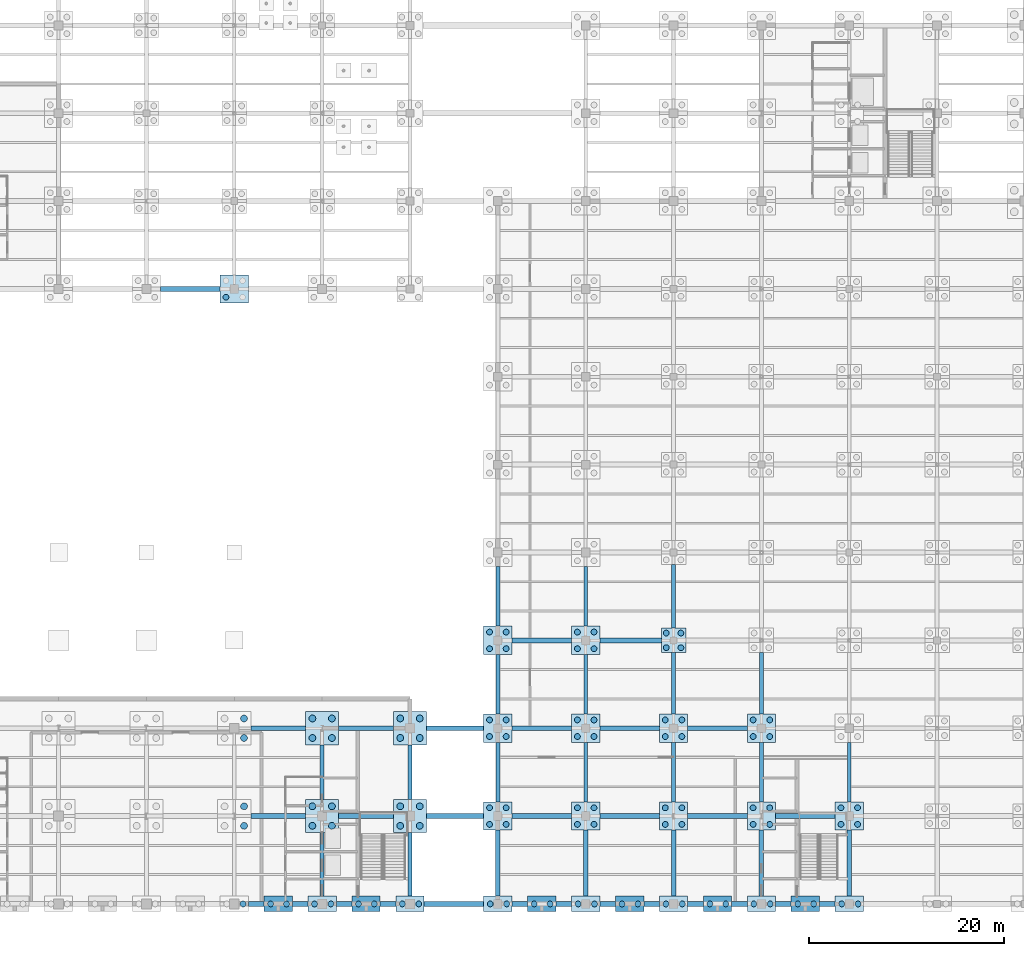
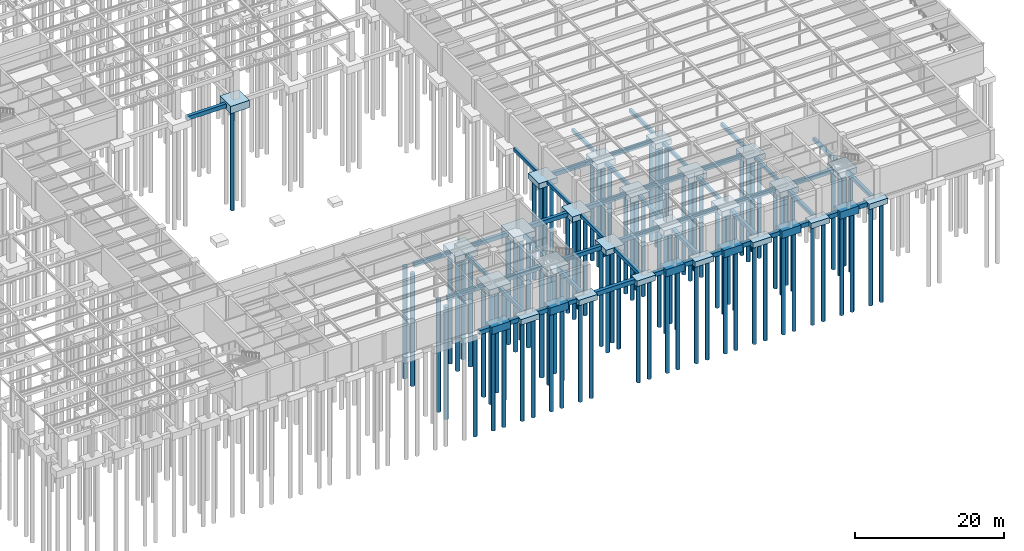
# One storey, part 3 of 49: 96 piles, 80 footings.
"""IFC4 building model written with IfcOpenShell, lengths in metres."""

from ifc_helpers import new_model, si_unit, direction, frame, origin, origin_2d, place, context, subcontext, project, spatial, rectangle, circle, extrude, material, material_profile, profile_set, type_object, element, save


model = new_model("IFC4")

# Units and contexts
model_context = context("Model", 3, precision=1e-05, world=origin(), true_north=direction((0.0, 1.0)))
body_context = subcontext(model_context, "Body", "Model", "MODEL_VIEW")
ifc_project = project(units=[si_unit("LENGTHUNIT", "METRE"), si_unit("AREAUNIT", "SQUARE_METRE"), si_unit("VOLUMEUNIT", "CUBIC_METRE"), si_unit("PLANEANGLEUNIT", "RADIAN"), si_unit("MASSUNIT", "GRAM", prefix="KILO")], contexts=[model_context])

# Site, building, storey
site_placement = place(None, origin())
site = spatial("IfcSite", under=ifc_project, at=site_placement, CompositionType="ELEMENT")
building_placement = place(site_placement, origin())
building = spatial("IfcBuilding", under=site, at=building_placement, Name="Lykobir Media Centre", CompositionType="ELEMENT")
storey_placement = place(building_placement, frame((0.0, 0.0, -4.800048828125)))
storey = spatial("IfcBuildingStorey", under=building, at=storey_placement, Name="B1", CompositionType="ELEMENT", Elevation=-4.800048828125)

# Piles
ifc_material_1 = material(Name="Concrete C30/37", Category="concrete")
ifc_material_profile_1 = material_profile(ifc_material_1, circle(Radius=0.300048828125, at=origin_2d()), Name="BORED PILE D600")
ifc_profile_set_1 = profile_set([ifc_material_profile_1], Name="Concrete C30/37")
pile_type_1 = type_object("IfcPileType", Name="BP-600", PredefinedType="BORED", material=ifc_profile_set_1)
for number, where, z_axis, x_axis, name in (
    (1, (63.89990234375, 0.0, -1.099853515625), (0.0, 0.0, -1.0), (1.0, 0.0, 0.0), "Bored pile PILE-0639-0000-2"),
    (2, (62.14990234375, 62.14990234375, -1.099853515625), (0.0, 0.0, -1.0), (1.0, 0.0, 0.0), "Bored pile PILE-0622-0622-1"),
    (3, (71.219970703125, 0.0, -1.099853515625), (0.0, 0.0, -1.0), (1.0, 0.0, 0.0), "Bored pile PILE-0712-0000-1"),
    (4, (72.89990234375, 0.0, -1.099853515625), (0.0, 0.0, -1.0), (1.0, 0.0, 0.0), "Bored pile PILE-0729-0000-2"),
    (5, (80.219970703125, 0.0, -1.099853515625), (0.0, 0.0, -1.0), (1.0, 0.0, 0.0), "Bored pile PILE-0802-0000-1"),
    (6, (81.89990234375, 0.0, -1.099853515625), (0.0, 0.0, -1.0), (1.0, 0.0, 0.0), "Bored pile PILE-0819-0000-2"),
    (7, (89.219970703125, 0.0, -1.099853515625), (0.0, 0.0, -1.0), (1.0, 0.0, 0.0), "Bored pile PILE-0892-0000-1"),
    (8, (90.89990234375, 0.0, -1.099853515625), (0.0, 0.0, -1.0), (1.0, 0.0, 0.0), "Bored pile PILE-0909-0000-2"),
    (9, (89.14990234375, 8.14990234375, -1.099853515625), (0.0, 0.0, -1.0), (1.0, 0.0, 0.0), "Bored pile PILE-0892-0082-1"),
    (10, (90.85009765625, 8.14990234375, -1.099853515625), (0.0, 0.0, -1.0), (1.0, 0.0, 0.0), "Bored pile PILE-0908-0082-2"),
    (11, (89.14990234375, 9.85009765625, -1.099853515625), (0.0, 0.0, -1.0), (1.0, 0.0, 0.0), "Bored pile PILE-0892-0098-3"),
    (12, (90.85009765625, 9.85009765625, -1.099853515625), (0.0, 0.0, -1.0), (1.0, 0.0, 0.0), "Bored pile PILE-0908-0098-4"),
    (13, (89.14990234375, 17.14990234375, -1.099853515625), (0.0, 0.0, -1.0), (1.0, 0.0, 0.0), "Bored pile PILE-0892-0172-1"),
    (14, (90.85009765625, 17.14990234375, -1.099853515625), (0.0, 0.0, -1.0), (1.0, 0.0, 0.0), "Bored pile PILE-0908-0172-2"),
    (15, (89.14990234375, 18.85009765625, -1.099853515625), (0.0, 0.0, -1.0), (1.0, 0.0, 0.0), "Bored pile PILE-0892-0188-3"),
    (16, (90.85009765625, 18.85009765625, -1.099853515625), (0.0, 0.0, -1.0), (1.0, 0.0, 0.0), "Bored pile PILE-0908-0188-4"),
    (17, (89.14990234375, 26.14990234375, -1.099853515625), (0.0, 0.0, -1.0), (1.0, 0.0, 0.0), "Bored pile PILE-0892-0262-1"),
    (18, (90.85009765625, 26.14990234375, -1.099853515625), (0.0, 0.0, -1.0), (1.0, 0.0, 0.0), "Bored pile PILE-0908-0262-2"),
    (19, (89.14990234375, 27.85009765625, -1.099853515625), (0.0, 0.0, -1.0), (1.0, 0.0, 0.0), "Bored pile PILE-0892-0278-3"),
    (20, (90.85009765625, 27.85009765625, -1.099853515625), (0.0, 0.0, -1.0), (1.0, 0.0, 0.0), "Bored pile PILE-0908-0278-4"),
    (21, (98.219970703125, 0.0, -1.099853515625), (0.0, 0.0, -1.0), (1.0, 0.0, 0.0), "Bored pile PILE-0982-0000-1"),
    (22, (99.89990234375, 0.0, -1.099853515625), (0.0, 0.0, -1.0), (1.0, 0.0, 0.0), "Bored pile PILE-0999-0000-2"),
    (23, (98.14990234375, 8.14990234375, -1.099853515625), (0.0, 0.0, -1.0), (1.0, 0.0, 0.0), "Bored pile PILE-0982-0082-1"),
    (24, (99.85009765625, 8.14990234375, -1.099853515625), (0.0, 0.0, -1.0), (1.0, 0.0, 0.0), "Bored pile PILE-0998-0082-2"),
    (25, (98.14990234375, 9.85009765625, -1.099853515625), (0.0, 0.0, -1.0), (1.0, 0.0, 0.0), "Bored pile PILE-0982-0098-3"),
    (26, (99.85009765625, 9.85009765625, -1.099853515625), (0.0, 0.0, -1.0), (1.0, 0.0, 0.0), "Bored pile PILE-0998-0098-4"),
    (27, (98.14990234375, 17.14990234375, -1.099853515625), (0.0, 0.0, -1.0), (1.0, 0.0, 0.0), "Bored pile PILE-0982-0172-1"),
    (28, (99.85009765625, 17.14990234375, -1.099853515625), (0.0, 0.0, -1.0), (1.0, 0.0, 0.0), "Bored pile PILE-0998-0172-2"),
    (29, (98.14990234375, 18.85009765625, -1.099853515625), (0.0, 0.0, -1.0), (1.0, 0.0, 0.0), "Bored pile PILE-0982-0188-3"),
    (30, (99.85009765625, 18.85009765625, -1.099853515625), (0.0, 0.0, -1.0), (1.0, 0.0, 0.0), "Bored pile PILE-0998-0188-4"),
    (31, (98.14990234375, 26.14990234375, -1.099853515625), (0.0, 0.0, -1.0), (1.0, 0.0, 0.0), "Bored pile PILE-0982-0262-1"),
    (32, (99.85009765625, 26.14990234375, -1.099853515625), (0.0, 0.0, -1.0), (1.0, 0.0, 0.0), "Bored pile PILE-0998-0262-2"),
    (33, (98.14990234375, 27.85009765625, -1.099853515625), (0.0, 0.0, -1.0), (1.0, 0.0, 0.0), "Bored pile PILE-0982-0278-3"),
    (34, (99.85009765625, 27.85009765625, -1.099853515625), (0.0, 0.0, -1.0), (1.0, 0.0, 0.0), "Bored pile PILE-0998-0278-4"),
    (35, (107.219970703125, 0.0, -1.099853515625), (0.0, 0.0, -1.0), (1.0, 0.0, 0.0), "Bored pile PILE-1072-0000-1"),
    (36, (108.89990234375, 0.0, -1.099853515625), (0.0, 0.0, -1.0), (1.0, 0.0, 0.0), "Bored pile PILE-1089-0000-2"),
    (37, (107.14990234375, 8.14990234375, -1.099853515625), (0.0, 0.0, -1.0), (1.0, 0.0, 0.0), "Bored pile PILE-1072-0082-1"),
    (38, (108.85009765625, 8.14990234375, -1.099853515625), (0.0, 0.0, -1.0), (1.0, 0.0, 0.0), "Bored pile PILE-1088-0082-2"),
    (39, (107.14990234375, 9.85009765625, -1.099853515625), (0.0, 0.0, -1.0), (1.0, 0.0, 0.0), "Bored pile PILE-1072-0098-3"),
    (40, (108.85009765625, 9.85009765625, -1.099853515625), (0.0, 0.0, -1.0), (1.0, 0.0, 0.0), "Bored pile PILE-1088-0098-4"),
    (41, (107.14990234375, 17.14990234375, -1.099853515625), (0.0, 0.0, -1.0), (1.0, 0.0, 0.0), "Bored pile PILE-1072-0172-1"),
    (42, (108.85009765625, 17.14990234375, -1.099853515625), (0.0, 0.0, -1.0), (1.0, 0.0, 0.0), "Bored pile PILE-1088-0172-2"),
    (43, (107.14990234375, 18.85009765625, -1.099853515625), (0.0, 0.0, -1.0), (1.0, 0.0, 0.0), "Bored pile PILE-1072-0188-3"),
    (44, (108.85009765625, 18.85009765625, -1.099853515625), (0.0, 0.0, -1.0), (1.0, 0.0, 0.0), "Bored pile PILE-1088-0188-4"),
    (45, (107.25, 26.25, -1.099853515625), (0.0, 0.0, -1.0), (1.0, 0.0, 0.0), "Bored pile PILE-1072-0262-1"),
    (46, (108.75, 26.25, -1.099853515625), (0.0, 0.0, -1.0), (1.0, 0.0, 0.0), "Bored pile PILE-1088-0262-2"),
    (47, (107.25, 27.75, -1.099853515625), (0.0, 0.0, -1.0), (1.0, 0.0, 0.0), "Bored pile PILE-1072-0278-3"),
    (48, (108.75, 27.75, -1.099853515625), (0.0, 0.0, -1.0), (1.0, 0.0, 0.0), "Bored pile PILE-1088-0278-4"),
    (49, (116.219970703125, 0.0, -1.099853515625), (0.0, 0.0, -1.0), (1.0, 0.0, 0.0), "Bored pile PILE-1162-0000-1"),
    (50, (117.89990234375, 0.0, -1.099853515625), (0.0, 0.0, -1.0), (1.0, 0.0, 0.0), "Bored pile PILE-1179-0000-2"),
    (51, (116.14990234375, 8.14990234375, -1.099853515625), (0.0, 0.0, -1.0), (1.0, 0.0, 0.0), "Bored pile PILE-1162-0082-1"),
    (52, (117.85009765625, 8.14990234375, -1.099853515625), (0.0, 0.0, -1.0), (1.0, 0.0, 0.0), "Bored pile PILE-1178-0082-2"),
    (53, (116.14990234375, 9.85009765625, -1.099853515625), (0.0, 0.0, -1.0), (1.0, 0.0, 0.0), "Bored pile PILE-1162-0098-3"),
    (54, (117.85009765625, 9.85009765625, -1.099853515625), (0.0, 0.0, -1.0), (1.0, 0.0, 0.0), "Bored pile PILE-1178-0098-4"),
    (55, (116.14990234375, 17.14990234375, -1.099853515625), (0.0, 0.0, -1.0), (1.0, 0.0, 0.0), "Bored pile PILE-1162-0172-1"),
    (56, (117.85009765625, 17.14990234375, -1.099853515625), (0.0, 0.0, -1.0), (1.0, 0.0, 0.0), "Bored pile PILE-1178-0172-2"),
    (57, (116.14990234375, 18.85009765625, -1.099853515625), (0.0, 0.0, -1.0), (1.0, 0.0, 0.0), "Bored pile PILE-1162-0188-3"),
    (58, (117.85009765625, 18.85009765625, -1.099853515625), (0.0, 0.0, -1.0), (1.0, 0.0, 0.0), "Bored pile PILE-1178-0188-4"),
    (59, (125.219970703125, 0.0, -1.099853515625), (0.0, 0.0, -1.0), (1.0, 0.0, 0.0), "Bored pile PILE-1252-0000-1"),
    (60, (126.89990234375, 0.0, -1.099853515625), (0.0, 0.0, -1.0), (1.0, 0.0, 0.0), "Bored pile PILE-1269-0000-2"),
    (61, (125.14990234375, 8.14990234375, -1.099853515625), (0.0, 0.0, -1.0), (1.0, 0.0, 0.0), "Bored pile PILE-1252-0082-1"),
    (62, (126.85009765625, 8.14990234375, -1.099853515625), (0.0, 0.0, -1.0), (1.0, 0.0, 0.0), "Bored pile PILE-1268-0082-2"),
    (63, (125.14990234375, 9.85009765625, -1.099853515625), (0.0, 0.0, -1.0), (1.0, 0.0, 0.0), "Bored pile PILE-1252-0098-3"),
    (64, (126.85009765625, 9.85009765625, -1.099853515625), (0.0, 0.0, -1.0), (1.0, 0.0, 0.0), "Bored pile PILE-1268-0098-4"),
    (65, (66.719970703125, 0.0, -1.099853515625), (0.0, 0.0, -1.0), (1.0, 0.0, 0.0), "Colonnade bored pile PILE-RVK-0667-0000-1"),
    (66, (68.35009765625, 0.0, -1.099853515625), (0.0, 0.0, -1.0), (1.0, 0.0, 0.0), "Colonnade bored pile PILE-RVK-0684-0000-2"),
    (67, (75.719970703125, 0.0, -1.099853515625), (0.0, 0.0, -1.0), (1.0, 0.0, 0.0), "Colonnade bored pile PILE-RVK-0757-0000-1"),
    (68, (77.35009765625, 0.0, -1.099853515625), (0.0, 0.0, -1.0), (1.0, 0.0, 0.0), "Colonnade bored pile PILE-RVK-0774-0000-2"),
    (69, (93.719970703125, 0.0, -1.099853515625), (0.0, 0.0, -1.0), (1.0, 0.0, 0.0), "Colonnade bored pile PILE-RVK-0937-0000-1"),
    (70, (95.35009765625, 0.0, -1.099853515625), (0.0, 0.0, -1.0), (1.0, 0.0, 0.0), "Colonnade bored pile PILE-RVK-0954-0000-2"),
    (71, (102.719970703125, 0.0, -1.099853515625), (0.0, 0.0, -1.0), (1.0, 0.0, 0.0), "Colonnade bored pile PILE-RVK-1027-0000-1"),
    (72, (104.35009765625, 0.0, -1.099853515625), (0.0, 0.0, -1.0), (1.0, 0.0, 0.0), "Colonnade bored pile PILE-RVK-1044-0000-2"),
    (73, (111.719970703125, 0.0, -1.099853515625), (0.0, 0.0, -1.0), (1.0, 0.0, 0.0), "Colonnade bored pile PILE-RVK-1117-0000-1"),
    (74, (113.35009765625, 0.0, -1.099853515625), (0.0, 0.0, -1.0), (1.0, 0.0, 0.0), "Colonnade bored pile PILE-RVK-1134-0000-2"),
    (75, (120.719970703125, 0.0, -1.099853515625), (0.0, 0.0, -1.0), (1.0, 0.0, 0.0), "Colonnade bored pile PILE-RVK-1207-0000-1"),
    (76, (122.35009765625, 0.0, -1.099853515625), (0.0, 0.0, -1.0), (1.0, 0.0, 0.0), "Colonnade bored pile PILE-RVK-1224-0000-2"),
):
    element("IfcPile", number, at=place(storey_placement, frame(where, z_axis=z_axis, x_axis=x_axis)), inside=storey, type_object=pile_type_1, Name=name, PredefinedType="BORED", context=body_context, shape_type="SweptSolid", body=[
        extrude(circle(Radius=0.300048828125, at=origin_2d()), origin(), (0.0, 0.0, 1.0), 16.39990234375),
    ])
ifc_material_profile_2 = material_profile(ifc_material_1, circle(Radius=0.35009765625, at=origin_2d()), Name="BORED PILE D700")
ifc_profile_set_2 = profile_set([ifc_material_profile_2], Name="Concrete C30/37")
pile_type_2 = type_object("IfcPileType", Name="BP-700", PredefinedType="BORED", material=ifc_profile_set_2)
for number, where, z_axis, x_axis, name in (
    (77, (64.0, 8.0, -1.099853515625), (0.0, 0.0, -1.0), (1.0, 0.0, 0.0), "Bored pile PILE-0640-0080-2"),
    (78, (64.0, 10.0, -1.099853515625), (0.0, 0.0, -1.0), (1.0, 0.0, 0.0), "Bored pile PILE-0640-0100-4"),
    (79, (64.0, 17.0, -1.099853515625), (0.0, 0.0, -1.0), (1.0, 0.0, 0.0), "Bored pile PILE-0640-0170-2"),
    (80, (64.0, 19.0, -1.099853515625), (0.0, 0.0, -1.0), (1.0, 0.0, 0.0), "Bored pile PILE-0640-0190-4"),
    (81, (71.0, 8.0, -1.099853515625), (0.0, 0.0, -1.0), (1.0, 0.0, 0.0), "Bored pile PILE-0710-0080-1"),
    (82, (73.0, 8.0, -1.099853515625), (0.0, 0.0, -1.0), (1.0, 0.0, 0.0), "Bored pile PILE-0730-0080-2"),
    (83, (71.0, 10.0, -1.099853515625), (0.0, 0.0, -1.0), (1.0, 0.0, 0.0), "Bored pile PILE-0710-0100-3"),
    (84, (73.0, 10.0, -1.099853515625), (0.0, 0.0, -1.0), (1.0, 0.0, 0.0), "Bored pile PILE-0730-0100-4"),
    (85, (71.0, 17.0, -1.099853515625), (0.0, 0.0, -1.0), (1.0, 0.0, 0.0), "Bored pile PILE-0710-0170-1"),
    (86, (73.0, 17.0, -1.099853515625), (0.0, 0.0, -1.0), (1.0, 0.0, 0.0), "Bored pile PILE-0730-0170-2"),
    (87, (71.0, 19.0, -1.099853515625), (0.0, 0.0, -1.0), (1.0, 0.0, 0.0), "Bored pile PILE-0710-0190-3"),
    (88, (73.0, 19.0, -1.099853515625), (0.0, 0.0, -1.0), (1.0, 0.0, 0.0), "Bored pile PILE-0730-0190-4"),
    (89, (80.0, 8.0, -1.099853515625), (0.0, 0.0, -1.0), (1.0, 0.0, 0.0), "Bored pile PILE-0800-0080-1"),
    (90, (82.0, 8.0, -1.099853515625), (0.0, 0.0, -1.0), (1.0, 0.0, 0.0), "Bored pile PILE-0820-0080-2"),
    (91, (80.0, 10.0, -1.099853515625), (0.0, 0.0, -1.0), (1.0, 0.0, 0.0), "Bored pile PILE-0800-0100-3"),
    (92, (82.0, 10.0, -1.099853515625), (0.0, 0.0, -1.0), (1.0, 0.0, 0.0), "Bored pile PILE-0820-0100-4"),
    (93, (80.0, 17.0, -1.099853515625), (0.0, 0.0, -1.0), (1.0, 0.0, 0.0), "Bored pile PILE-0800-0170-1"),
    (94, (82.0, 17.0, -1.099853515625), (0.0, 0.0, -1.0), (1.0, 0.0, 0.0), "Bored pile PILE-0820-0170-2"),
    (95, (80.0, 19.0, -1.099853515625), (0.0, 0.0, -1.0), (1.0, 0.0, 0.0), "Bored pile PILE-0800-0190-3"),
    (96, (82.0, 19.0, -1.099853515625), (0.0, 0.0, -1.0), (1.0, 0.0, 0.0), "Bored pile PILE-0820-0190-4"),
):
    element("IfcPile", number, at=place(storey_placement, frame(where, z_axis=z_axis, x_axis=x_axis)), inside=storey, type_object=pile_type_2, Name=name, PredefinedType="BORED", context=body_context, shape_type="SweptSolid", body=[
        extrude(circle(Radius=0.35009765625, at=origin_2d()), origin(), (0.0, 0.0, 1.0), 18.39990234375),
    ])

# Footings
ifc_material_2 = material(Name="Concrete C35/45", Category="concrete")
footing_type_1 = type_object("IfcFootingType", Name="GB-2", PredefinedType="FOOTING_BEAM", material=ifc_material_2)
for number, where, z_axis, x_axis, name in (
    (97, (65.25, 0.0, -1.0), (0.0, 0.0, 1.0), (1.0, 0.0, 0.0), "Ground tie beam FTG-GB-X-015"),
    (98, (69.75, 0.0, -1.0), (0.0, 0.0, 1.0), (1.0, 0.0, 0.0), "Ground tie beam FTG-GB-X-016"),
    (99, (74.25, 0.0, -1.0), (0.0, 0.0, 1.0), (1.0, 0.0, 0.0), "Ground tie beam FTG-GB-X-017"),
    (100, (78.75, 0.0, -1.0), (0.0, 0.0, 1.0), (1.0, 0.0, 0.0), "Ground tie beam FTG-GB-X-018"),
):
    element("IfcFooting", number, at=place(storey_placement, frame(where, z_axis=z_axis, x_axis=x_axis)), inside=storey, type_object=footing_type_1, Name=name, PredefinedType="FOOTING_BEAM", context=body_context, shape_type="SweptSolid", body=[
        extrude(rectangle(XDim=1.60009765625, YDim=0.550048828125, at=origin_2d()), origin(), (0.0, 0.0, 1.0), 0.699951171875),
    ])
footing_1_placement = place(storey_placement, frame((85.5, 0.0, -1.0), z_axis=(0.0, 0.0, 1.0), x_axis=(1.0, 0.0, 0.0)))
element("IfcFooting", 101, at=footing_1_placement, inside=storey, type_object=footing_type_1, Name="Ground tie beam FTG-GB-X-019", PredefinedType="FOOTING_BEAM", context=body_context, shape_type="SweptSolid", body=[
    extrude(rectangle(XDim=6.10009765625, YDim=0.550048828125, at=origin_2d()), origin(), (0.0, 0.0, 1.0), 0.699951171875),
])
for number, where, z_axis, x_axis, name in (
    (102, (92.25, 0.0, -1.0), (0.0, 0.0, 1.0), (1.0, 0.0, 0.0), "Ground tie beam FTG-GB-X-020"),
    (103, (96.75, 0.0, -1.0), (0.0, 0.0, 1.0), (1.0, 0.0, 0.0), "Ground tie beam FTG-GB-X-021"),
    (104, (101.25, 0.0, -1.0), (0.0, 0.0, 1.0), (1.0, 0.0, 0.0), "Ground tie beam FTG-GB-X-022"),
    (105, (105.75, 0.0, -1.0), (0.0, 0.0, 1.0), (1.0, 0.0, 0.0), "Ground tie beam FTG-GB-X-023"),
    (106, (110.25, 0.0, -1.0), (0.0, 0.0, 1.0), (1.0, 0.0, 0.0), "Ground tie beam FTG-GB-X-024"),
    (107, (114.75, 0.0, -1.0), (0.0, 0.0, 1.0), (1.0, 0.0, 0.0), "Ground tie beam FTG-GB-X-025"),
    (108, (119.25, 0.0, -1.0), (0.0, 0.0, 1.0), (1.0, 0.0, 0.0), "Ground tie beam FTG-GB-X-026"),
    (109, (123.75, 0.0, -1.0), (0.0, 0.0, 1.0), (1.0, 0.0, 0.0), "Ground tie beam FTG-GB-X-027"),
):
    element("IfcFooting", number, at=place(storey_placement, frame(where, z_axis=z_axis, x_axis=x_axis)), inside=storey, type_object=footing_type_1, Name=name, PredefinedType="FOOTING_BEAM", context=body_context, shape_type="SweptSolid", body=[
        extrude(rectangle(XDim=1.60009765625, YDim=0.550048828125, at=origin_2d()), origin(), (0.0, 0.0, 1.0), 0.699951171875),
    ])
footing_type_2 = type_object("IfcFootingType", Name="GB-3", PredefinedType="FOOTING_BEAM", material=ifc_material_2)
for number, where, z_axis, x_axis, name in (
    (110, (67.5, 9.0, -0.949951171875), (0.0, 0.0, 1.0), (1.0, 0.0, 0.0), "Ground tie beam FTG-GB-X-037"),
    (111, (76.5, 9.0, -0.949951171875), (0.0, 0.0, 1.0), (1.0, 0.0, 0.0), "Ground tie beam FTG-GB-X-038"),
):
    element("IfcFooting", number, at=place(storey_placement, frame(where, z_axis=z_axis, x_axis=x_axis)), inside=storey, type_object=footing_type_2, Name=name, PredefinedType="FOOTING_BEAM", context=body_context, shape_type="SweptSolid", body=[
        extrude(rectangle(XDim=5.60009765625, YDim=0.5, at=origin_2d()), origin(), (0.0, 0.0, 1.0), 0.64990234375),
    ])
footing_2_placement = place(storey_placement, frame((85.625, 9.0, -0.949951171875), z_axis=(0.0, 0.0, 1.0), x_axis=(1.0, 0.0, 0.0)))
element("IfcFooting", 112, at=footing_2_placement, inside=storey, type_object=footing_type_2, Name="Ground tie beam FTG-GB-X-039", PredefinedType="FOOTING_BEAM", context=body_context, shape_type="SweptSolid", body=[
    extrude(rectangle(XDim=5.85009765625, YDim=0.5, at=origin_2d()), origin(), (0.0, 0.0, 1.0), 0.64990234375),
])
for number, where, z_axis, x_axis, name in (
    (113, (94.5, 9.0, -0.949951171875), (0.0, 0.0, 1.0), (1.0, 0.0, 0.0), "Ground tie beam FTG-GB-X-040"),
    (114, (103.5, 9.0, -0.949951171875), (0.0, 0.0, 1.0), (1.0, 0.0, 0.0), "Ground tie beam FTG-GB-X-041"),
    (115, (112.5, 9.0, -0.949951171875), (0.0, 0.0, 1.0), (1.0, 0.0, 0.0), "Ground tie beam FTG-GB-X-042"),
    (116, (121.5, 9.0, -0.949951171875), (0.0, 0.0, 1.0), (1.0, 0.0, 0.0), "Ground tie beam FTG-GB-X-043"),
):
    element("IfcFooting", number, at=place(storey_placement, frame(where, z_axis=z_axis, x_axis=x_axis)), inside=storey, type_object=footing_type_2, Name=name, PredefinedType="FOOTING_BEAM", context=body_context, shape_type="SweptSolid", body=[
        extrude(rectangle(XDim=6.10009765625, YDim=0.5, at=origin_2d()), origin(), (0.0, 0.0, 1.0), 0.64990234375),
    ])
for number, where, z_axis, x_axis, name in (
    (117, (67.5, 18.0, -0.949951171875), (0.0, 0.0, 1.0), (1.0, 0.0, 0.0), "Ground tie beam FTG-GB-X-053"),
    (118, (76.5, 18.0, -0.949951171875), (0.0, 0.0, 1.0), (1.0, 0.0, 0.0), "Ground tie beam FTG-GB-X-054"),
):
    element("IfcFooting", number, at=place(storey_placement, frame(where, z_axis=z_axis, x_axis=x_axis)), inside=storey, type_object=footing_type_2, Name=name, PredefinedType="FOOTING_BEAM", context=body_context, shape_type="SweptSolid", body=[
        extrude(rectangle(XDim=5.60009765625, YDim=0.5, at=origin_2d()), origin(), (0.0, 0.0, 1.0), 0.64990234375),
    ])
footing_3_placement = place(storey_placement, frame((85.625, 18.0, -0.949951171875), z_axis=(0.0, 0.0, 1.0), x_axis=(1.0, 0.0, 0.0)))
element("IfcFooting", 119, at=footing_3_placement, inside=storey, type_object=footing_type_2, Name="Ground tie beam FTG-GB-X-055", PredefinedType="FOOTING_BEAM", context=body_context, shape_type="SweptSolid", body=[
    extrude(rectangle(XDim=5.85009765625, YDim=0.5, at=origin_2d()), origin(), (0.0, 0.0, 1.0), 0.64990234375),
])
for number, where, z_axis, x_axis, name in (
    (120, (94.5, 18.0, -0.949951171875), (0.0, 0.0, 1.0), (1.0, 0.0, 0.0), "Ground tie beam FTG-GB-X-056"),
    (121, (103.5, 18.0, -0.949951171875), (0.0, 0.0, 1.0), (1.0, 0.0, 0.0), "Ground tie beam FTG-GB-X-057"),
    (122, (112.5, 18.0, -0.949951171875), (0.0, 0.0, 1.0), (1.0, 0.0, 0.0), "Ground tie beam FTG-GB-X-058"),
    (123, (94.5, 27.0, -0.949951171875), (0.0, 0.0, 1.0), (1.0, 0.0, 0.0), "Ground tie beam FTG-GB-X-067"),
):
    element("IfcFooting", number, at=place(storey_placement, frame(where, z_axis=z_axis, x_axis=x_axis)), inside=storey, type_object=footing_type_2, Name=name, PredefinedType="FOOTING_BEAM", context=body_context, shape_type="SweptSolid", body=[
        extrude(rectangle(XDim=6.10009765625, YDim=0.5, at=origin_2d()), origin(), (0.0, 0.0, 1.0), 0.64990234375),
    ])
footing_4_placement = place(storey_placement, frame((103.60009765625, 27.0, -0.949951171875), z_axis=(0.0, 0.0, 1.0), x_axis=(1.0, 0.0, 0.0)))
element("IfcFooting", 124, at=footing_4_placement, inside=storey, type_object=footing_type_2, Name="Ground tie beam FTG-GB-X-068", PredefinedType="FOOTING_BEAM", context=body_context, shape_type="SweptSolid", body=[
    extrude(rectangle(XDim=6.300048828125, YDim=0.5, at=origin_2d()), origin(), (0.0, 0.0, 1.0), 0.64990234375),
])
footing_5_placement = place(storey_placement, frame((58.5, 63.0, -0.949951171875), z_axis=(0.0, 0.0, 1.0), x_axis=(1.0, 0.0, 0.0)))
element("IfcFooting", 125, at=footing_5_placement, inside=storey, type_object=footing_type_2, Name="Ground tie beam FTG-GB-X-106", PredefinedType="FOOTING_BEAM", context=body_context, shape_type="SweptSolid", body=[
    extrude(rectangle(XDim=6.10009765625, YDim=0.5, at=origin_2d()), origin(), (0.0, 0.0, 1.0), 0.64990234375),
])
footing_type_3 = type_object("IfcFootingType", Name="GB-4", PredefinedType="FOOTING_BEAM", material=ifc_material_2)
for number, where, z_axis, x_axis, name in (
    (126, (90.0, 4.175048828125, -0.89990234375), (0.0, 0.0, 1.0), (0.0, 1.0, 0.0), "Ground tie beam FTG-GB-Y-270"),
    (127, (99.0, 4.175048828125, -0.89990234375), (0.0, 0.0, 1.0), (0.0, 1.0, 0.0), "Ground tie beam FTG-GB-Y-278"),
    (128, (108.0, 4.175048828125, -0.89990234375), (0.0, 0.0, 1.0), (0.0, 1.0, 0.0), "Ground tie beam FTG-GB-Y-288"),
    (129, (117.0, 4.175048828125, -0.89990234375), (0.0, 0.0, 1.0), (0.0, 1.0, 0.0), "Ground tie beam FTG-GB-Y-298"),
    (130, (126.0, 4.175048828125, -0.89990234375), (0.0, 0.0, 1.0), (0.0, 1.0, 0.0), "Ground tie beam FTG-GB-Y-308"),
):
    element("IfcFooting", number, at=place(storey_placement, frame(where, z_axis=z_axis, x_axis=x_axis)), inside=storey, type_object=footing_type_3, Name=name, PredefinedType="FOOTING_BEAM", context=body_context, shape_type="SweptSolid", body=[
        extrude(rectangle(XDim=6.75, YDim=0.449951171875, at=origin_2d()), origin(), (0.0, 0.0, 1.0), 0.60009765625),
    ])
footing_type_4 = type_object("IfcFootingType", Name="GB-5", PredefinedType="FOOTING_BEAM", material=ifc_material_2)
footing_6_placement = place(storey_placement, frame((72.0, 4.050048828125, -0.85009765625), z_axis=(0.0, 0.0, 1.0), x_axis=(0.0, 1.0, 0.0)))
element("IfcFooting", 131, at=footing_6_placement, inside=storey, type_object=footing_type_4, Name="Ground tie beam FTG-GB-Y-254", PredefinedType="FOOTING_BEAM", context=body_context, shape_type="SweptSolid", body=[
    extrude(rectangle(XDim=6.5, YDim=0.39990234375, at=origin_2d()), origin(), (0.0, 0.0, 1.0), 0.550048828125),
])
footing_7_placement = place(storey_placement, frame((72.0, 13.5, -0.85009765625), z_axis=(0.0, 0.0, 1.0), x_axis=(0.0, 1.0, 0.0)))
element("IfcFooting", 132, at=footing_7_placement, inside=storey, type_object=footing_type_4, Name="Ground tie beam FTG-GB-Y-255", PredefinedType="FOOTING_BEAM", context=body_context, shape_type="SweptSolid", body=[
    extrude(rectangle(XDim=5.60009765625, YDim=0.39990234375, at=origin_2d()), origin(), (0.0, 0.0, 1.0), 0.550048828125),
])
footing_8_placement = place(storey_placement, frame((81.0, 4.050048828125, -0.85009765625), z_axis=(0.0, 0.0, 1.0), x_axis=(0.0, 1.0, 0.0)))
element("IfcFooting", 133, at=footing_8_placement, inside=storey, type_object=footing_type_4, Name="Ground tie beam FTG-GB-Y-262", PredefinedType="FOOTING_BEAM", context=body_context, shape_type="SweptSolid", body=[
    extrude(rectangle(XDim=6.5, YDim=0.39990234375, at=origin_2d()), origin(), (0.0, 0.0, 1.0), 0.550048828125),
])
footing_9_placement = place(storey_placement, frame((81.0, 13.5, -0.85009765625), z_axis=(0.0, 0.0, 1.0), x_axis=(0.0, 1.0, 0.0)))
element("IfcFooting", 134, at=footing_9_placement, inside=storey, type_object=footing_type_4, Name="Ground tie beam FTG-GB-Y-263", PredefinedType="FOOTING_BEAM", context=body_context, shape_type="SweptSolid", body=[
    extrude(rectangle(XDim=5.60009765625, YDim=0.39990234375, at=origin_2d()), origin(), (0.0, 0.0, 1.0), 0.550048828125),
])
for number, where, z_axis, x_axis, name in (
    (135, (90.0, 13.5, -0.85009765625), (0.0, 0.0, 1.0), (0.0, 1.0, 0.0), "Ground tie beam FTG-GB-Y-271"),
    (136, (90.0, 22.5, -0.85009765625), (0.0, 0.0, 1.0), (0.0, 1.0, 0.0), "Ground tie beam FTG-GB-Y-272"),
    (137, (90.0, 31.5, -0.85009765625), (0.0, 0.0, 1.0), (0.0, 1.0, 0.0), "Ground tie beam FTG-GB-Y-273"),
    (138, (99.0, 13.5, -0.85009765625), (0.0, 0.0, 1.0), (0.0, 1.0, 0.0), "Ground tie beam FTG-GB-Y-279"),
    (139, (99.0, 22.5, -0.85009765625), (0.0, 0.0, 1.0), (0.0, 1.0, 0.0), "Ground tie beam FTG-GB-Y-280"),
    (140, (99.0, 31.5, -0.85009765625), (0.0, 0.0, 1.0), (0.0, 1.0, 0.0), "Ground tie beam FTG-GB-Y-281"),
    (141, (108.0, 13.5, -0.85009765625), (0.0, 0.0, 1.0), (0.0, 1.0, 0.0), "Ground tie beam FTG-GB-Y-289"),
):
    element("IfcFooting", number, at=place(storey_placement, frame(where, z_axis=z_axis, x_axis=x_axis)), inside=storey, type_object=footing_type_4, Name=name, PredefinedType="FOOTING_BEAM", context=body_context, shape_type="SweptSolid", body=[
        extrude(rectangle(XDim=6.10009765625, YDim=0.39990234375, at=origin_2d()), origin(), (0.0, 0.0, 1.0), 0.550048828125),
    ])
footing_10_placement = place(storey_placement, frame((108.0, 22.60009765625, -0.85009765625), z_axis=(0.0, 0.0, 1.0), x_axis=(0.0, 1.0, 0.0)))
element("IfcFooting", 142, at=footing_10_placement, inside=storey, type_object=footing_type_4, Name="Ground tie beam FTG-GB-Y-290", PredefinedType="FOOTING_BEAM", context=body_context, shape_type="SweptSolid", body=[
    extrude(rectangle(XDim=6.300048828125, YDim=0.39990234375, at=origin_2d()), origin(), (0.0, 0.0, 1.0), 0.550048828125),
])
footing_11_placement = place(storey_placement, frame((108.0, 31.5, -0.85009765625), z_axis=(0.0, 0.0, 1.0), x_axis=(0.0, 1.0, 0.0)))
element("IfcFooting", 143, at=footing_11_placement, inside=storey, type_object=footing_type_4, Name="Ground tie beam FTG-GB-Y-291", PredefinedType="FOOTING_BEAM", context=body_context, shape_type="SweptSolid", body=[
    extrude(rectangle(XDim=6.5, YDim=0.39990234375, at=origin_2d()), origin(), (0.0, 0.0, 1.0), 0.550048828125),
])
footing_12_placement = place(storey_placement, frame((117.0, 13.5, -0.85009765625), z_axis=(0.0, 0.0, 1.0), x_axis=(0.0, 1.0, 0.0)))
element("IfcFooting", 144, at=footing_12_placement, inside=storey, type_object=footing_type_4, Name="Ground tie beam FTG-GB-Y-299", PredefinedType="FOOTING_BEAM", context=body_context, shape_type="SweptSolid", body=[
    extrude(rectangle(XDim=6.10009765625, YDim=0.39990234375, at=origin_2d()), origin(), (0.0, 0.0, 1.0), 0.550048828125),
])
footing_13_placement = place(storey_placement, frame((117.0, 22.60009765625, -0.85009765625), z_axis=(0.0, 0.0, 1.0), x_axis=(0.0, 1.0, 0.0)))
element("IfcFooting", 145, at=footing_13_placement, inside=storey, type_object=footing_type_4, Name="Ground tie beam FTG-GB-Y-300", PredefinedType="FOOTING_BEAM", context=body_context, shape_type="SweptSolid", body=[
    extrude(rectangle(XDim=6.300048828125, YDim=0.39990234375, at=origin_2d()), origin(), (0.0, 0.0, 1.0), 0.550048828125),
])
footing_14_placement = place(storey_placement, frame((126.0, 13.5, -0.85009765625), z_axis=(0.0, 0.0, 1.0), x_axis=(0.0, 1.0, 0.0)))
element("IfcFooting", 146, at=footing_14_placement, inside=storey, type_object=footing_type_4, Name="Ground tie beam FTG-GB-Y-309", PredefinedType="FOOTING_BEAM", context=body_context, shape_type="SweptSolid", body=[
    extrude(rectangle(XDim=6.10009765625, YDim=0.39990234375, at=origin_2d()), origin(), (0.0, 0.0, 1.0), 0.550048828125),
])
footing_type_5 = type_object("IfcFootingType", Name="PC-2", PredefinedType="PILE_CAP", material=ifc_material_2)
for number, where, z_axis, x_axis, name in (
    (147, (72.0, 9.0, -1.300048828125), (0.0, 0.0, 1.0), (1.0, 0.0, 0.0), "Pile cap FTG-PC-0720-0090"),
    (148, (72.0, 18.0, -1.300048828125), (0.0, 0.0, 1.0), (1.0, 0.0, 0.0), "Pile cap FTG-PC-0720-0180"),
    (149, (81.0, 9.0, -1.300048828125), (0.0, 0.0, 1.0), (1.0, 0.0, 0.0), "Pile cap FTG-PC-0810-0090"),
    (150, (81.0, 18.0, -1.300048828125), (0.0, 0.0, 1.0), (1.0, 0.0, 0.0), "Pile cap FTG-PC-0810-0180"),
):
    element("IfcFooting", number, at=place(storey_placement, frame(where, z_axis=z_axis, x_axis=x_axis)), inside=storey, type_object=footing_type_5, Name=name, PredefinedType="PILE_CAP", context=body_context, shape_type="SweptSolid", body=[
        extrude(rectangle(XDim=3.39990234375, YDim=3.39990234375, at=origin_2d()), origin(), (0.0, 0.0, 1.0), 1.0),
    ])
footing_type_6 = type_object("IfcFootingType", Name="PC-4", PredefinedType="PILE_CAP", material=ifc_material_2)
footing_15_placement = place(storey_placement, frame((63.0, 63.0, -1.19970703125), z_axis=(0.0, 0.0, 1.0), x_axis=(1.0, 0.0, 0.0)))
element("IfcFooting", 151, at=footing_15_placement, inside=storey, type_object=footing_type_6, Name="Pile cap FTG-PC-0630-0630", PredefinedType="PILE_CAP", context=body_context, shape_type="SweptSolid", body=[
    extrude(rectangle(XDim=2.89990234375, YDim=2.89990234375, at=origin_2d()), origin(), (0.0, 0.0, 1.0), 1.199951171875),
])
for number, where, z_axis, x_axis, name in (
    (152, (90.0, 9.0, -1.199951171875), (0.0, 0.0, 1.0), (1.0, 0.0, 0.0), "Pile cap FTG-PC-0900-0090"),
    (153, (90.0, 18.0, -1.199951171875), (0.0, 0.0, 1.0), (1.0, 0.0, 0.0), "Pile cap FTG-PC-0900-0180"),
    (154, (90.0, 27.0, -1.199951171875), (0.0, 0.0, 1.0), (1.0, 0.0, 0.0), "Pile cap FTG-PC-0900-0270"),
    (155, (99.0, 9.0, -1.199951171875), (0.0, 0.0, 1.0), (1.0, 0.0, 0.0), "Pile cap FTG-PC-0990-0090"),
    (156, (99.0, 18.0, -1.199951171875), (0.0, 0.0, 1.0), (1.0, 0.0, 0.0), "Pile cap FTG-PC-0990-0180"),
    (157, (99.0, 27.0, -1.199951171875), (0.0, 0.0, 1.0), (1.0, 0.0, 0.0), "Pile cap FTG-PC-0990-0270"),
    (158, (108.0, 9.0, -1.199951171875), (0.0, 0.0, 1.0), (1.0, 0.0, 0.0), "Pile cap FTG-PC-1080-0090"),
    (159, (108.0, 18.0, -1.199951171875), (0.0, 0.0, 1.0), (1.0, 0.0, 0.0), "Pile cap FTG-PC-1080-0180"),
    (160, (117.0, 9.0, -1.199951171875), (0.0, 0.0, 1.0), (1.0, 0.0, 0.0), "Pile cap FTG-PC-1170-0090"),
    (161, (117.0, 18.0, -1.199951171875), (0.0, 0.0, 1.0), (1.0, 0.0, 0.0), "Pile cap FTG-PC-1170-0180"),
    (162, (126.0, 9.0, -1.199951171875), (0.0, 0.0, 1.0), (1.0, 0.0, 0.0), "Pile cap FTG-PC-1260-0090"),
):
    element("IfcFooting", number, at=place(storey_placement, frame(where, z_axis=z_axis, x_axis=x_axis)), inside=storey, type_object=footing_type_6, Name=name, PredefinedType="PILE_CAP", context=body_context, shape_type="SweptSolid", body=[
        extrude(rectangle(XDim=2.89990234375, YDim=2.89990234375, at=origin_2d()), origin(), (0.0, 0.0, 1.0), 0.89990234375),
    ])
footing_type_7 = type_object("IfcFootingType", Name="PC-6", PredefinedType="PILE_CAP", material=ifc_material_2)
footing_16_placement = place(storey_placement, frame((108.0, 27.0, -1.199951171875), z_axis=(0.0, 0.0, 1.0), x_axis=(1.0, 0.0, 0.0)))
element("IfcFooting", 163, at=footing_16_placement, inside=storey, type_object=footing_type_7, Name="Pile cap FTG-PC-1080-0270", PredefinedType="PILE_CAP", context=body_context, shape_type="SweptSolid", body=[
    extrude(rectangle(XDim=2.5, YDim=2.5, at=origin_2d()), origin(), (0.0, 0.0, 1.0), 0.89990234375),
])
footing_type_8 = type_object("IfcFootingType", Name="PC-7", PredefinedType="PILE_CAP", material=ifc_material_2)
for number, where, z_axis, x_axis, name in (
    (164, (72.0, 0.0, -1.199951171875), (0.0, 0.0, 1.0), (1.0, 0.0, 0.0), "Pile cap FTG-PC-0720-0000"),
    (165, (81.0, 0.0, -1.199951171875), (0.0, 0.0, 1.0), (1.0, 0.0, 0.0), "Pile cap FTG-PC-0810-0000"),
    (166, (90.0, 0.0, -1.199951171875), (0.0, 0.0, 1.0), (1.0, 0.0, 0.0), "Pile cap FTG-PC-0900-0000"),
    (167, (99.0, 0.0, -1.199951171875), (0.0, 0.0, 1.0), (1.0, 0.0, 0.0), "Pile cap FTG-PC-0990-0000"),
    (168, (108.0, 0.0, -1.199951171875), (0.0, 0.0, 1.0), (1.0, 0.0, 0.0), "Pile cap FTG-PC-1080-0000"),
    (169, (117.0, 0.0, -1.199951171875), (0.0, 0.0, 1.0), (1.0, 0.0, 0.0), "Pile cap FTG-PC-1170-0000"),
    (170, (126.0, 0.0, -1.199951171875), (0.0, 0.0, 1.0), (1.0, 0.0, 0.0), "Pile cap FTG-PC-1260-0000"),
):
    element("IfcFooting", number, at=place(storey_placement, frame(where, z_axis=z_axis, x_axis=x_axis)), inside=storey, type_object=footing_type_8, Name=name, PredefinedType="PILE_CAP", context=body_context, shape_type="SweptSolid", body=[
        extrude(rectangle(XDim=2.89990234375, YDim=1.60009765625, at=origin_2d()), origin(), (0.0, 0.0, 1.0), 0.89990234375),
    ])
for number, where, z_axis, x_axis, name in (
    (171, (67.5, 0.0, -1.19970703125), (0.0, 0.0, 1.0), (1.0, 0.0, 0.0), "Colonnade pile cap FTG-RVK-0675-0000"),
    (172, (76.5, 0.0, -1.19970703125), (0.0, 0.0, 1.0), (1.0, 0.0, 0.0), "Colonnade pile cap FTG-RVK-0765-0000"),
    (173, (94.5, 0.0, -1.19970703125), (0.0, 0.0, 1.0), (1.0, 0.0, 0.0), "Colonnade pile cap FTG-RVK-0945-0000"),
    (174, (103.5, 0.0, -1.19970703125), (0.0, 0.0, 1.0), (1.0, 0.0, 0.0), "Colonnade pile cap FTG-RVK-1035-0000"),
    (175, (112.5, 0.0, -1.19970703125), (0.0, 0.0, 1.0), (1.0, 0.0, 0.0), "Colonnade pile cap FTG-RVK-1125-0000"),
    (176, (121.5, 0.0, -1.19970703125), (0.0, 0.0, 1.0), (1.0, 0.0, 0.0), "Colonnade pile cap FTG-RVK-1215-0000"),
):
    element("IfcFooting", number, at=place(storey_placement, frame(where, z_axis=z_axis, x_axis=x_axis)), inside=storey, type_object=footing_type_8, Name=name, PredefinedType="PILE_CAP", context=body_context, shape_type="SweptSolid", body=[
        extrude(rectangle(XDim=2.89990234375, YDim=1.60009765625, at=origin_2d()), origin(), (0.0, 0.0, 1.0), 1.199951171875),
    ])

save(model, "model.ifc")
